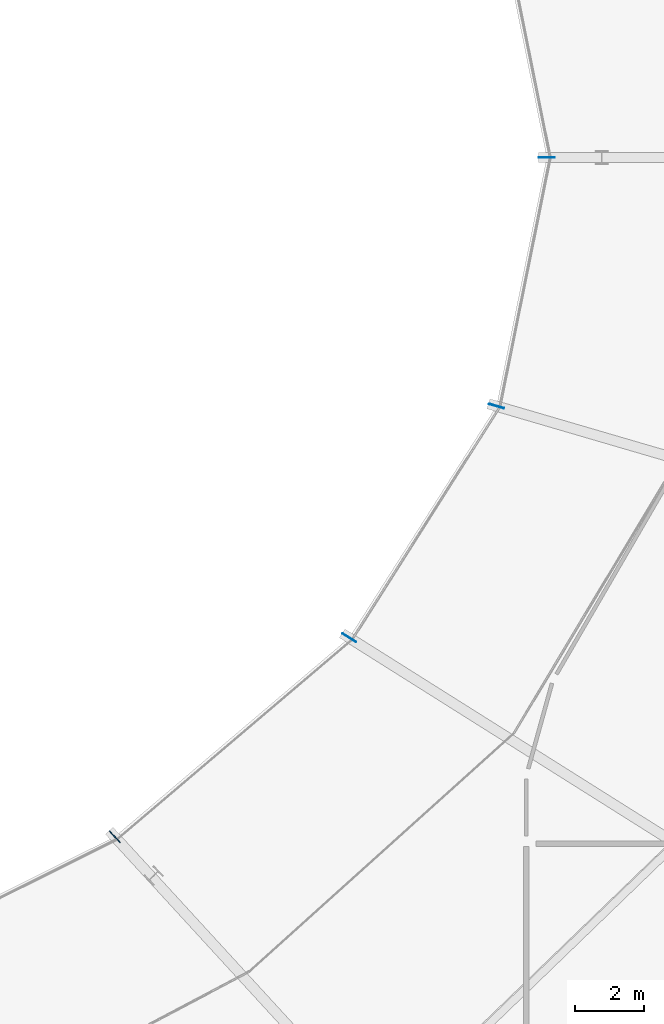
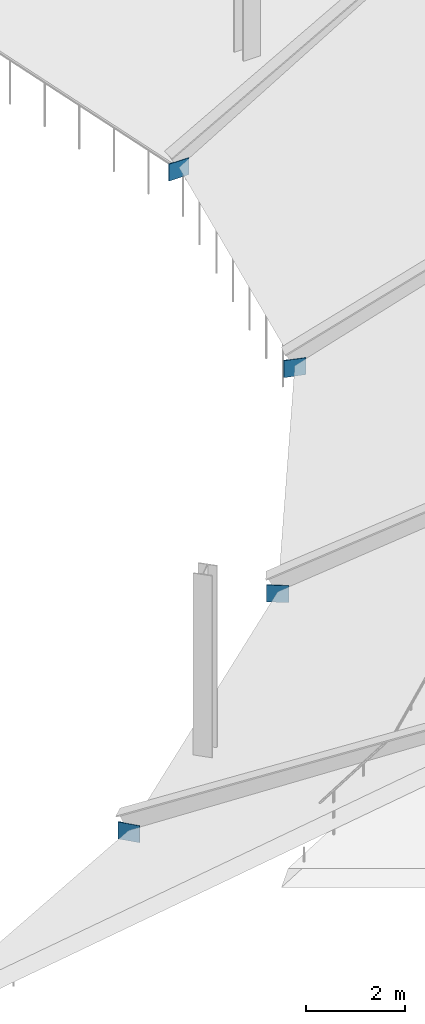
# One storey, part 24 of 63: 4 plates.
"""IFC4 building model written with IfcOpenShell, lengths in metres."""

from ifc_helpers import new_model, si_unit, direction, frame, origin, origin_2d, place, context, subcontext, project, spatial, rectangle, extrude, material, layer, layer_set, type_object, element, save


model = new_model("IFC4")

# Units and contexts
model_context = context("Model", 3, precision=1e-05, world=origin(), true_north=direction((0.0, 1.0)))
body_context = subcontext(model_context, "Body", "Model", "MODEL_VIEW")
ifc_project = project(units=[si_unit("LENGTHUNIT", "METRE"), si_unit("AREAUNIT", "SQUARE_METRE"), si_unit("VOLUMEUNIT", "CUBIC_METRE"), si_unit("PLANEANGLEUNIT", "RADIAN"), si_unit("MASSUNIT", "GRAM", prefix="KILO")], contexts=[model_context])

# Site, building, storey
site_placement = place(None, origin())
site = spatial("IfcSite", under=ifc_project, at=site_placement, CompositionType="ELEMENT")
building_placement = place(site_placement, origin())
building = spatial("IfcBuilding", under=site, at=building_placement, Name="Kalgoora Escarpment Arena", CompositionType="ELEMENT")
storey_placement = place(building_placement, frame((0.0, 0.0, 14.39990234375)))
storey = spatial("IfcBuildingStorey", under=building, at=storey_placement, Name="L03", CompositionType="ELEMENT", Elevation=14.39990234375)

# Plates
ifc_material = material(Name="Structural steel Grade 350 (350 MPa)", Category="steel")
ifc_layer = layer(ifc_material, 0.02490234375)
ifc_layer_set = layer_set([ifc_layer], Name="PLT-GUSSET-25")
plate_type = type_object("IfcPlateType", Name="PLT-GUSSET-25", PredefinedType="USERDEFINED", material=ifc_layer_set)
for number, where, z_axis, x_axis, name in (
    (1, (135.39990234375, 64.0, -2.509765625), (0.0, 0.0, 1.0), (1.0, 0.0, 0.0), "Upper bowl raker inner end plate R01"),
    (2, (122.8056640625, 44.200927734375, -2.509765625), (0.0, 0.0, 1.0), (0.675718876495, -0.737159412846, 0.0), "Upper bowl raker inner end plate R22"),
    (3, (129.63916015625, 50.0, -2.509765625), (0.0, 0.0, 1.0), (0.846193166128, -0.532876276071, 0.0), "Upper bowl raker inner end plate R23"),
    (4, (133.934814453125, 56.753173828125, -2.509765625), (0.0, 0.0, 1.0), (0.959854262938, -0.280499187022, 0.0), "Upper bowl raker inner end plate R24"),
):
    element("IfcPlate", number, at=place(storey_placement, frame(where, z_axis=z_axis, x_axis=x_axis)), inside=storey, type_object=plate_type, Name=name, ObjectType="FLANGE PLATE", PredefinedType="USERDEFINED", context=body_context, shape_type="SweptSolid", body=[
        extrude(rectangle(XDim=0.4599609375, YDim=0.02490234375, at=origin_2d()), origin(), (0.0, 0.0, 1.0), 0.419921875),
    ])

save(model, "model.ifc")
